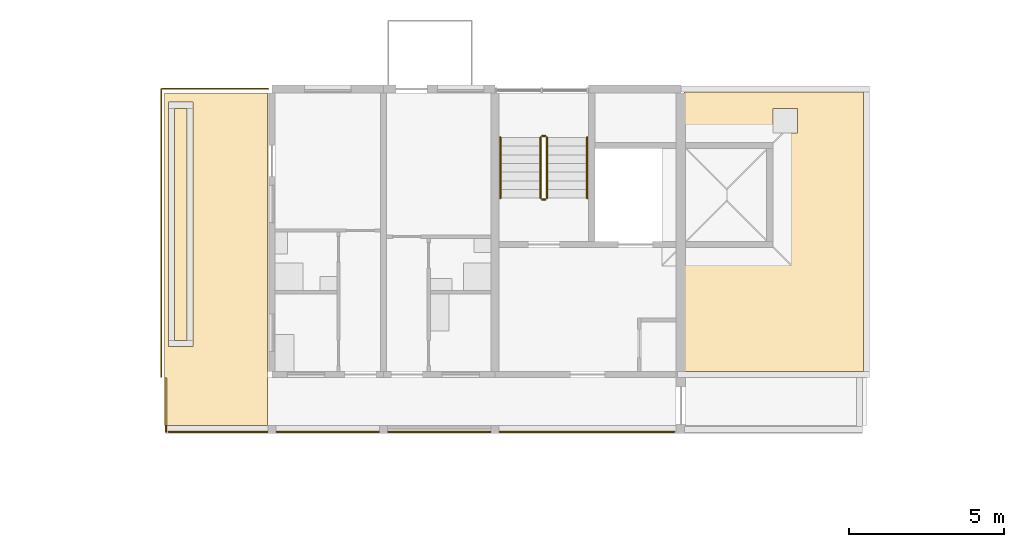
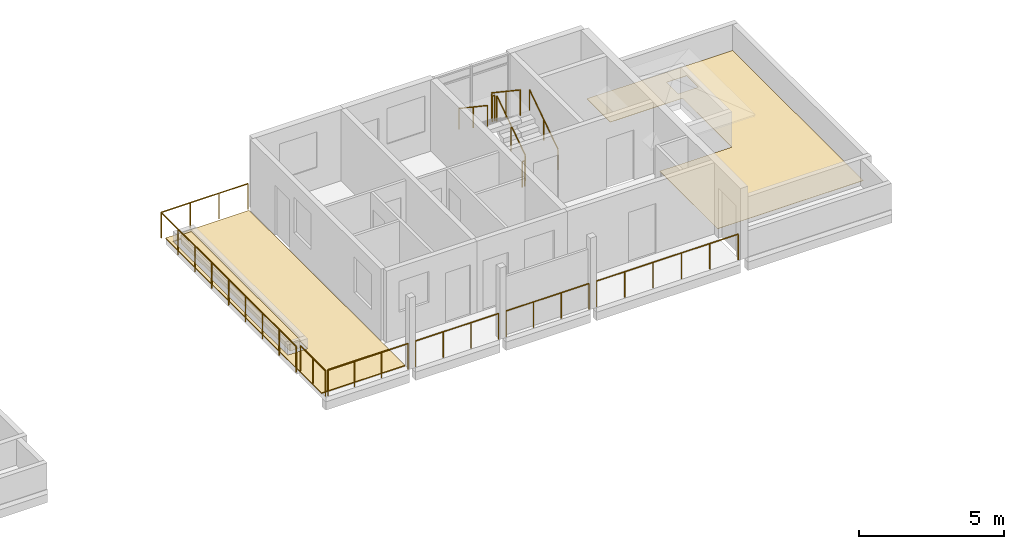
# One storey, part 75 of 78: 12 railings, 4 coverings.
"""IFC4 building model written with IfcOpenShell, lengths in metres."""

from ifc_helpers import new_model, si_unit, direction, frame, origin, origin_2d, place, context, subcontext, project, spatial, polyline, circle, outline, extrude, material, layer, layer_set, type_object, element, save


model = new_model("IFC4")

# Units and contexts
model_context = context("Model", 3, precision=1e-05, world=origin(), true_north=direction((0.0, 1.0)))
body_context = subcontext(model_context, "Body", "Model", "MODEL_VIEW")
ifc_project = project(units=[si_unit("LENGTHUNIT", "METRE"), si_unit("AREAUNIT", "SQUARE_METRE"), si_unit("VOLUMEUNIT", "CUBIC_METRE"), si_unit("PLANEANGLEUNIT", "RADIAN"), si_unit("MASSUNIT", "GRAM", prefix="KILO")], contexts=[model_context])

# Site, building, storey
site_placement = place(None, origin())
site = spatial("IfcSite", under=ifc_project, at=site_placement, CompositionType="ELEMENT")
building_placement = place(site_placement, origin())
building = spatial("IfcBuilding", under=site, at=building_placement, Name="Ridgestep Commons", CompositionType="ELEMENT")
storey_placement = place(building_placement, frame((0.0, 0.0, 30.0)))
storey = spatial("IfcBuildingStorey", under=building, at=storey_placement, Name="L10", CompositionType="ELEMENT", Elevation=30.0)

# Railings
ifc_material_1 = material(Name="Structural steel S355JR", Category="steel")
railing_type_1 = type_object("IfcRailingType", Name="Guard 1100", PredefinedType="GUARDRAIL", material=ifc_material_1)
railing_1_placement = place(storey_placement, frame((214.02099609375, 67.821044921875, 0.0)))
element("IfcRailing", 1, at=railing_1_placement, inside=storey, type_object=railing_type_1, Name="Guard TD-C5R1-GD", PredefinedType="GUARDRAIL", context=body_context, shape_type="SweptSolid", body=[
    extrude(circle(Radius=0.02392578125, at=origin_2d()), frame((0.0, 0.0, 1.076171875), z_axis=(0.0, 1.0, 0.0), x_axis=(-1.0, 0.0, 0.0)), (0.0, 0.0, 1.0), 9.303955078125),
    extrude(circle(Radius=0.02392578125, at=origin_2d()), frame((0.0, 9.303955078125, 1.076171875), z_axis=(1.0, 0.0, 0.0), x_axis=(0.0, 1.0, 0.0)), (0.0, 0.0, 1.0), 3.4580078125),
    extrude(circle(Radius=0.02099609375, at=origin_2d()), origin(), (0.0, 0.0, 1.0), 1.052001953125),
    extrude(circle(Radius=0.02099609375, at=origin_2d()), frame((0.0, 1.1630859375, 0.0)), (0.0, 0.0, 1.0), 1.052001953125),
    extrude(circle(Radius=0.02099609375, at=origin_2d()), frame((0.0, 2.325927734375, 0.0)), (0.0, 0.0, 1.0), 1.052001953125),
    extrude(circle(Radius=0.02099609375, at=origin_2d()), frame((0.0, 3.489013671875, 0.0)), (0.0, 0.0, 1.0), 1.052001953125),
    extrude(circle(Radius=0.02099609375, at=origin_2d()), frame((0.0, 4.65185546875, 0.0)), (0.0, 0.0, 1.0), 1.052001953125),
    extrude(circle(Radius=0.02099609375, at=origin_2d()), frame((0.0, 5.81494140625, 0.0)), (0.0, 0.0, 1.0), 1.052001953125),
    extrude(circle(Radius=0.02099609375, at=origin_2d()), frame((0.0, 6.97802734375, 0.0)), (0.0, 0.0, 1.0), 1.052001953125),
    extrude(circle(Radius=0.02099609375, at=origin_2d()), frame((0.0, 8.140869140625, 0.0)), (0.0, 0.0, 1.0), 1.052001953125),
    extrude(circle(Radius=0.02099609375, at=origin_2d()), frame((0.0, 9.303955078125, 0.0)), (0.0, 0.0, 1.0), 1.052001953125),
    extrude(circle(Radius=0.02099609375, at=origin_2d()), frame((1.152587890625, 9.303955078125, 0.0)), (0.0, 0.0, 1.0), 1.052001953125),
    extrude(circle(Radius=0.02099609375, at=origin_2d()), frame((2.305419921875, 9.303955078125, 0.0)), (0.0, 0.0, 1.0), 1.052001953125),
    extrude(circle(Radius=0.02099609375, at=origin_2d()), frame((3.4580078125, 9.303955078125, 0.0)), (0.0, 0.0, 1.0), 1.052001953125),
])
railing_2_placement = place(storey_placement, frame((214.260986328125, 66.050048828125, 0.0)))
element("IfcRailing", 2, at=railing_2_placement, inside=storey, type_object=railing_type_1, Name="Gallery guard C 10.1", PredefinedType="GUARDRAIL", context=body_context, shape_type="SweptSolid", body=[
    extrude(circle(Radius=0.02392578125, at=origin_2d()), frame((0.0, 0.0, 1.076171875), z_axis=(1.0, 0.0, 0.0), x_axis=(0.0, 1.0, 0.0)), (0.0, 0.0, 1.0), 3.193115234375),
    extrude(circle(Radius=0.02099609375, at=origin_2d()), origin(), (0.0, 0.0, 1.0), 1.052001953125),
    extrude(circle(Radius=0.02099609375, at=origin_2d()), frame((1.064453125, 0.0, 0.0)), (0.0, 0.0, 1.0), 1.052001953125),
    extrude(circle(Radius=0.02099609375, at=origin_2d()), frame((2.128662109375, 0.0, 0.0)), (0.0, 0.0, 1.0), 1.052001953125),
    extrude(circle(Radius=0.02099609375, at=origin_2d()), frame((3.193115234375, 0.0, 0.0)), (0.0, 0.0, 1.0), 1.052001953125),
])
railing_3_placement = place(storey_placement, frame((214.1708984375, 66.050048828125, 0.0)))
element("IfcRailing", 3, at=railing_3_placement, inside=storey, type_object=railing_type_1, Name="Gallery end guard C 10.1W", PredefinedType="GUARDRAIL", context=body_context, shape_type="SweptSolid", body=[
    extrude(circle(Radius=0.02392578125, at=origin_2d()), frame((0.0, 0.0, 1.076171875), z_axis=(0.0, 1.0, 0.0), x_axis=(-1.0, 0.0, 0.0)), (0.0, 0.0, 1.0), 1.72900390625),
    extrude(circle(Radius=0.02099609375, at=origin_2d()), origin(), (0.0, 0.0, 1.0), 1.052001953125),
    extrude(circle(Radius=0.02099609375, at=origin_2d()), frame((0.0, 0.864501953125, 0.0)), (0.0, 0.0, 1.0), 1.052001953125),
    extrude(circle(Radius=0.02099609375, at=origin_2d()), frame((0.0, 1.72900390625, 0.0)), (0.0, 0.0, 1.0), 1.052001953125),
])
railing_4_placement = place(storey_placement, frame((217.74609375, 66.050048828125, 0.0)))
element("IfcRailing", 4, at=railing_4_placement, inside=storey, type_object=railing_type_1, Name="Gallery guard C 10.2", PredefinedType="GUARDRAIL", context=body_context, shape_type="SweptSolid", body=[
    extrude(circle(Radius=0.02392578125, at=origin_2d()), frame((0.0, 0.0, 1.076171875), z_axis=(1.0, 0.0, 0.0), x_axis=(0.0, 1.0, 0.0)), (0.0, 0.0, 1.0), 3.307861328125),
    extrude(circle(Radius=0.02099609375, at=origin_2d()), origin(), (0.0, 0.0, 1.0), 1.052001953125),
    extrude(circle(Radius=0.02099609375, at=origin_2d()), frame((1.1025390625, 0.0, 0.0)), (0.0, 0.0, 1.0), 1.052001953125),
    extrude(circle(Radius=0.02099609375, at=origin_2d()), frame((2.205322265625, 0.0, 0.0)), (0.0, 0.0, 1.0), 1.052001953125),
    extrude(circle(Radius=0.02099609375, at=origin_2d()), frame((3.307861328125, 0.0, 0.0)), (0.0, 0.0, 1.0), 1.052001953125),
])
railing_5_placement = place(storey_placement, frame((221.345947265625, 66.050048828125, 0.0)))
element("IfcRailing", 5, at=railing_5_placement, inside=storey, type_object=railing_type_1, Name="Gallery guard C 10.3", PredefinedType="GUARDRAIL", context=body_context, shape_type="SweptSolid", body=[
    extrude(circle(Radius=0.02392578125, at=origin_2d()), frame((0.0, 0.0, 1.076171875), z_axis=(1.0, 0.0, 0.0), x_axis=(0.0, 1.0, 0.0)), (0.0, 0.0, 1.0), 3.30810546875),
    extrude(circle(Radius=0.02099609375, at=origin_2d()), origin(), (0.0, 0.0, 1.0), 1.052001953125),
    extrude(circle(Radius=0.02099609375, at=origin_2d()), frame((1.102783203125, 0.0, 0.0)), (0.0, 0.0, 1.0), 1.052001953125),
    extrude(circle(Radius=0.02099609375, at=origin_2d()), frame((2.205322265625, 0.0, 0.0)), (0.0, 0.0, 1.0), 1.052001953125),
    extrude(circle(Radius=0.02099609375, at=origin_2d()), frame((3.30810546875, 0.0, 0.0)), (0.0, 0.0, 1.0), 1.052001953125),
])
railing_6_placement = place(storey_placement, frame((224.946044921875, 66.050048828125, 0.0)))
element("IfcRailing", 6, at=railing_6_placement, inside=storey, type_object=railing_type_1, Name="Gallery guard C 10.4", PredefinedType="GUARDRAIL", context=body_context, shape_type="SweptSolid", body=[
    extrude(circle(Radius=0.02392578125, at=origin_2d()), frame((0.0, 0.0, 1.076171875), z_axis=(1.0, 0.0, 0.0), x_axis=(0.0, 1.0, 0.0)), (0.0, 0.0, 1.0), 5.64306640625),
    extrude(circle(Radius=0.02099609375, at=origin_2d()), origin(), (0.0, 0.0, 1.0), 1.052001953125),
    extrude(circle(Radius=0.02099609375, at=origin_2d()), frame((1.128662109375, 0.0, 0.0)), (0.0, 0.0, 1.0), 1.052001953125),
    extrude(circle(Radius=0.02099609375, at=origin_2d()), frame((2.25732421875, 0.0, 0.0)), (0.0, 0.0, 1.0), 1.052001953125),
    extrude(circle(Radius=0.02099609375, at=origin_2d()), frame((3.3857421875, 0.0, 0.0)), (0.0, 0.0, 1.0), 1.052001953125),
    extrude(circle(Radius=0.02099609375, at=origin_2d()), frame((4.514404296875, 0.0, 0.0)), (0.0, 0.0, 1.0), 1.052001953125),
    extrude(circle(Radius=0.02099609375, at=origin_2d()), frame((5.64306640625, 0.0, 0.0)), (0.0, 0.0, 1.0), 1.052001953125),
])

# Coverings
ifc_material_2 = material(Name="Planting soil")
ifc_layer_1 = layer(ifc_material_2, 0.35009765625)
ifc_layer_set_1 = layer_set([ifc_layer_1], Name="Planting soil 350")
covering_type_1 = type_object("IfcCoveringType", Name="Planting soil 350", PredefinedType="FLOORING", material=ifc_layer_set_1)
covering_1_placement = place(storey_placement, frame((0.0, 0.0, 0.010009765625)))
element("IfcCovering", 7, at=covering_1_placement, inside=storey, type_object=covering_type_1, Name="Planting soil C5R1", PredefinedType="FLOORING", context=body_context, shape_type="SweptSolid", body=[
    extrude(outline(polyline([(214.449951171875, 69.0), (214.85009765625, 69.0), (214.85009765625, 76.5), (214.449951171875, 76.5), (214.449951171875, 69.0)])), origin(), (0.0, 0.0, 1.0), 0.35009765625),
])
ifc_material_3 = material(Name="Bitumen membrane, two layer")
ifc_layer_2 = layer(ifc_material_3, 0.011962890625)
ifc_layer_set_2 = layer_set([ifc_layer_2], Name="Roof membrane 12")
covering_type_2 = type_object("IfcCoveringType", Name="Roof membrane 12", PredefinedType="ROOFING", material=ifc_layer_set_2)
covering_2_placement = place(storey_placement, origin())
element("IfcCovering", 8, at=covering_2_placement, inside=storey, type_object=covering_type_2, Name="Roof membrane C6C", PredefinedType="ROOFING", context=body_context, shape_type="SweptSolid", body=[
    extrude(outline(polyline([(236.699951171875, 77.02490234375), (236.699951171875, 68.0), (230.89990234375, 68.0), (230.89990234375, 72.0), (233.77490234375, 72.0), (233.77490234375, 75.39990234375), (230.89990234375, 75.39990234375), (230.89990234375, 77.02490234375), (236.699951171875, 77.02490234375)]), holes=[polyline([(234.574951171875, 76.5), (233.77490234375, 76.5), (233.77490234375, 75.699951171875), (234.574951171875, 75.699951171875), (234.574951171875, 76.5)])]), origin(), (0.0, 0.0, 1.0), 0.011962890625),
])

# Railings
ifc_material_4 = material(Name="Structural steel S355JR", Category="steel")
railing_type_2 = type_object("IfcRailingType", Name="Stair guard 1100", PredefinedType="GUARDRAIL", material=ifc_material_4)
railing_7_placement = place(storey_placement, frame((226.47509765625, 73.60009765625, 0.1875)))
element("IfcRailing", 9, at=railing_7_placement, inside=storey, type_object=railing_type_2, Name="L10 C5C stair guard 1", PredefinedType="GUARDRAIL", context=body_context, shape_type="SweptSolid", body=[
    extrude(circle(Radius=0.02392578125, at=origin_2d()), frame((0.0, 0.0, 1.076171875), z_axis=(0.0, 0.830902050051, 0.556418712142), x_axis=(-1.0, 0.0, 0.0)), (0.0, 0.0, 1.0), 2.35888671875),
    extrude(circle(Radius=0.02099609375, at=origin_2d()), origin(), (0.0, 0.0, 1.0), 1.052001953125),
    extrude(circle(Radius=0.02099609375, at=origin_2d()), frame((0.0, 0.97998046875, 0.65625)), (0.0, 0.0, 1.0), 1.052001953125),
    extrude(circle(Radius=0.02099609375, at=origin_2d()), frame((0.0, 1.9599609375, 1.3125)), (0.0, 0.0, 1.0), 1.052001953125),
])
railing_8_placement = place(storey_placement, frame((226.425048828125, 75.610107421875, 1.5)))
element("IfcRailing", 10, at=railing_8_placement, inside=storey, type_object=railing_type_2, Name="L10 C5C stair guard 2", PredefinedType="GUARDRAIL", context=body_context, shape_type="SweptSolid", body=[
    extrude(circle(Radius=0.02392578125, at=origin_2d()), frame((0.0, 0.0, 1.076171875), z_axis=(-1.0, 0.0, 0.0), x_axis=(0.0, -1.0, 0.0)), (0.0, 0.0, 1.0), 0.10009765625),
    extrude(circle(Radius=0.02099609375, at=origin_2d()), origin(), (0.0, 0.0, 1.0), 1.052001953125),
    extrude(circle(Radius=0.02099609375, at=origin_2d()), frame((-0.10009765625, 0.0, 0.0)), (0.0, 0.0, 1.0), 1.052001953125),
])
railing_9_placement = place(storey_placement, frame((226.27490234375, 75.56005859375, 1.6875)))
element("IfcRailing", 11, at=railing_9_placement, inside=storey, type_object=railing_type_2, Name="L10 C5C stair guard 3", PredefinedType="GUARDRAIL", context=body_context, shape_type="SweptSolid", body=[
    extrude(circle(Radius=0.02392578125, at=origin_2d()), frame((0.0, 0.0, 1.076171875), z_axis=(0.0, -0.830902050051, 0.556418712142), x_axis=(1.0, 0.0, 0.0)), (0.0, 0.0, 1.0), 2.35888671875),
    extrude(circle(Radius=0.02099609375, at=origin_2d()), origin(), (0.0, 0.0, 1.0), 1.052001953125),
    extrude(circle(Radius=0.02099609375, at=origin_2d()), frame((0.0, -0.97998046875, 0.65625)), (0.0, 0.0, 1.0), 1.052001953125),
    extrude(circle(Radius=0.02099609375, at=origin_2d()), frame((0.0, -1.9599609375, 1.3125)), (0.0, 0.0, 1.0), 1.052001953125),
])
railing_10_placement = place(storey_placement, frame((226.425048828125, 73.550048828125, 0.0)))
element("IfcRailing", 12, at=railing_10_placement, inside=storey, type_object=railing_type_2, Name="L10 C5C stair guard 4", PredefinedType="GUARDRAIL", context=body_context, shape_type="SweptSolid", body=[
    extrude(circle(Radius=0.02392578125, at=origin_2d()), frame((0.0, 0.0, 1.076171875), z_axis=(-1.0, 0.0, 0.0), x_axis=(0.0, -1.0, 0.0)), (0.0, 0.0, 1.0), 0.10009765625),
    extrude(circle(Radius=0.02099609375, at=origin_2d()), origin(), (0.0, 0.0, 1.0), 1.052001953125),
    extrude(circle(Radius=0.02099609375, at=origin_2d()), frame((-0.10009765625, 0.0, 0.0)), (0.0, 0.0, 1.0), 1.052001953125),
])
ifc_material_5 = material(Name="Structural steel S355JR", Category="steel")
railing_type_3 = type_object("IfcRailingType", Name="Stair handrail 900", PredefinedType="HANDRAIL", material=ifc_material_5)
railing_11_placement = place(storey_placement, frame((227.77490234375, 73.60009765625, 0.1875)))
element("IfcRailing", 13, at=railing_11_placement, inside=storey, type_object=railing_type_3, Name="L10 C5C stair handrail 1", PredefinedType="HANDRAIL", context=body_context, shape_type="SweptSolid", body=[
    extrude(circle(Radius=0.02392578125, at=origin_2d()), frame((0.0, 0.0, 0.8759765625), z_axis=(0.0, 0.830902050051, 0.556418712142), x_axis=(-1.0, 0.0, 0.0)), (0.0, 0.0, 1.0), 2.35888671875),
    extrude(circle(Radius=0.02099609375, at=origin_2d()), origin(), (0.0, 0.0, 1.0), 0.851806640625),
    extrude(circle(Radius=0.02099609375, at=origin_2d()), frame((0.0, 0.97998046875, 0.65625)), (0.0, 0.0, 1.0), 0.851806640625),
    extrude(circle(Radius=0.02099609375, at=origin_2d()), frame((0.0, 1.9599609375, 1.3125)), (0.0, 0.0, 1.0), 0.851806640625),
])
railing_12_placement = place(storey_placement, frame((224.97509765625, 75.56005859375, 1.6875)))
element("IfcRailing", 14, at=railing_12_placement, inside=storey, type_object=railing_type_3, Name="L10 C5C stair handrail 2", PredefinedType="HANDRAIL", context=body_context, shape_type="SweptSolid", body=[
    extrude(circle(Radius=0.02392578125, at=origin_2d()), frame((0.0, 0.0, 0.8759765625), z_axis=(0.0, -0.830902050051, 0.556418712142), x_axis=(1.0, 0.0, 0.0)), (0.0, 0.0, 1.0), 2.35888671875),
    extrude(circle(Radius=0.02099609375, at=origin_2d()), origin(), (0.0, 0.0, 1.0), 0.851806640625),
    extrude(circle(Radius=0.02099609375, at=origin_2d()), frame((0.0, -0.97998046875, 0.65625)), (0.0, 0.0, 1.0), 0.851806640625),
    extrude(circle(Radius=0.02099609375, at=origin_2d()), frame((0.0, -1.9599609375, 1.3125)), (0.0, 0.0, 1.0), 0.851806640625),
])

# Coverings
ifc_material_6 = material(Name="Bitumen membrane, two layer")
ifc_layer_3 = layer(ifc_material_6, 0.010009765625)
ifc_layer_set_3 = layer_set([ifc_layer_3], Name="Terrace membrane 10")
covering_type_3 = type_object("IfcCoveringType", Name="Terrace membrane 10", PredefinedType="ROOFING", material=ifc_layer_set_3)
covering_3_placement = place(storey_placement, origin())
element("IfcCovering", 15, at=covering_3_placement, inside=storey, type_object=covering_type_3, Name="Terrace membrane C5R1", PredefinedType="ROOFING", context=body_context, shape_type="SweptSolid", body=[
    extrude(outline(polyline([(217.449951171875, 66.25), (217.449951171875, 77.0), (214.125, 77.0), (214.125, 66.25), (217.449951171875, 66.25)]), holes=[polyline([(215.050048828125, 68.800048828125), (215.050048828125, 76.699951171875), (214.25, 76.699951171875), (214.25, 68.800048828125), (215.050048828125, 68.800048828125)])]), origin(), (0.0, 0.0, 1.0), 0.010009765625),
])
ifc_material_7 = material(Name="Concrete paving slab", Category="concrete")
ifc_layer_4 = layer(ifc_material_7, 0.030029296875)
ifc_layer_set_4 = layer_set([ifc_layer_4], Name="Terrace paving 30")
covering_type_4 = type_object("IfcCoveringType", Name="Terrace paving 30", PredefinedType="FLOORING", material=ifc_layer_set_4)
covering_4_placement = place(storey_placement, frame((0.0, 0.0, 0.010009765625)))
element("IfcCovering", 16, at=covering_4_placement, inside=storey, type_object=covering_type_4, Name="Terrace paving C5R1", PredefinedType="FLOORING", context=body_context, shape_type="SweptSolid", body=[
    extrude(outline(polyline([(217.449951171875, 66.25), (217.449951171875, 77.0), (214.125, 77.0), (214.125, 66.25), (217.449951171875, 66.25)]), holes=[polyline([(215.050048828125, 68.800048828125), (215.050048828125, 76.699951171875), (214.25, 76.699951171875), (214.25, 68.800048828125), (215.050048828125, 68.800048828125)])]), origin(), (0.0, 0.0, 1.0), 0.030029296875),
])

save(model, "model.ifc")
